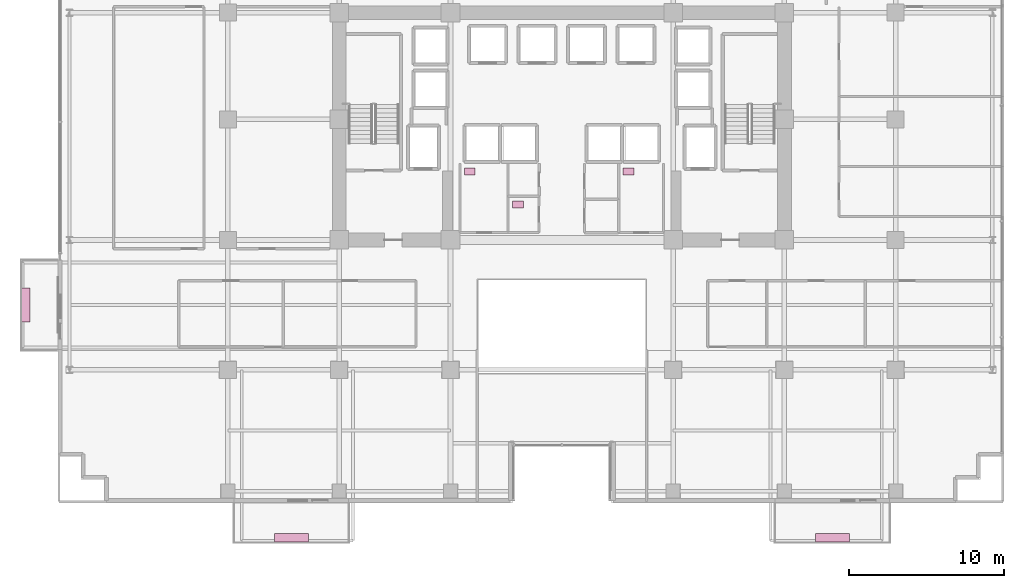
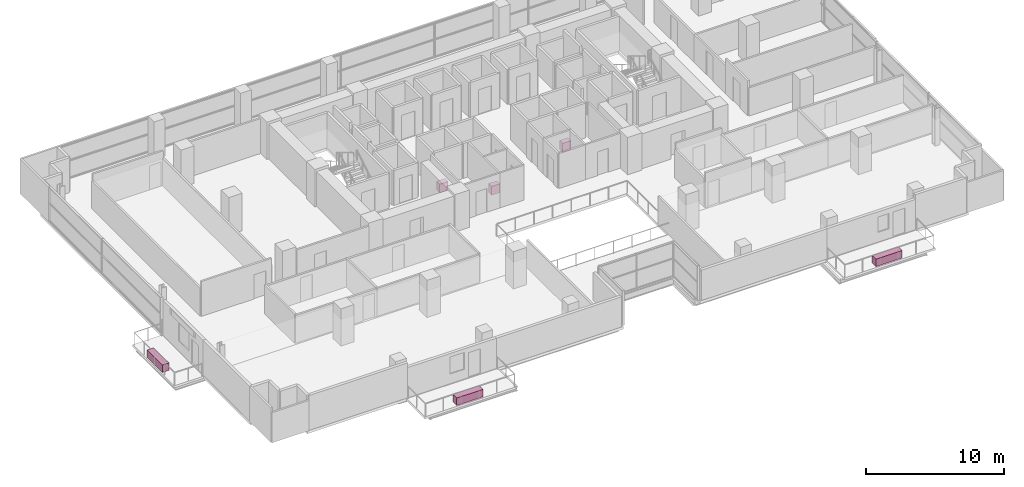
# One storey, part 31 of 31: 6 furnishings.
"""IFC4 building model written with IfcOpenShell, lengths in metres."""

from ifc_helpers import new_model, si_unit, direction, frame, origin, origin_2d, place, context, subcontext, project, spatial, rectangle, extrude, source, transform, mapped, material, type_object, element, save


model = new_model("IFC4")

# Units and contexts
model_context = context("Model", 3, precision=1e-05, world=origin(), true_north=direction((0.0, 1.0)))
body_context = subcontext(model_context, "Body", "Model", "MODEL_VIEW")
ifc_project = project(units=[si_unit("LENGTHUNIT", "METRE"), si_unit("AREAUNIT", "SQUARE_METRE"), si_unit("VOLUMEUNIT", "CUBIC_METRE"), si_unit("PLANEANGLEUNIT", "RADIAN"), si_unit("MASSUNIT", "GRAM", prefix="KILO")], contexts=[model_context])

# Site, building, storey
site_placement = place(None, origin())
site = spatial("IfcSite", under=ifc_project, at=site_placement, CompositionType="ELEMENT")
building_placement = place(site_placement, origin())
building = spatial("IfcBuilding", under=site, at=building_placement, Name="Zarnakvel Exchange Tower", CompositionType="ELEMENT")
storey_placement = place(building_placement, frame((0.0, 0.0, 47.199951171875)))
storey = spatial("IfcBuildingStorey", under=building, at=storey_placement, Name="L12", CompositionType="ELEMENT", Elevation=47.199951171875)

# Furnishings
ifc_material_1 = material(Name="Architectural Bronze Anodised Aluminium", Category="aluminium")
furnishing_element_type_1 = type_object("IfcFurnishingElementType", Name="PLNT-01", material=ifc_material_1)
shared_shape_1 = source(origin(), body_context, "Body", "SweptSolid", [
    extrude(rectangle(XDim=2.199951171875, YDim=0.550048828125, at=origin_2d()), origin(), (0.0, 0.0, 1.0), 0.64990234375),
])
for number, where, z_axis, x_axis, name in (
    (1, (-17.5, -20.469970703125, -0.034912109375), (0.0, 0.0, 1.0), (1.0, 0.0, 0.0), "L12 Balcony Greenery Planter BAL-L12-SW"),
    (2, (17.5, -20.469970703125, -0.034912109375), (0.0, 0.0, 1.0), (1.0, 0.0, 0.0), "L12 Balcony Greenery Planter BAL-L12-SE"),
    (3, (-34.669921875, -5.39990234375, -0.034912109375), (0.0, 0.0, 1.0), (0.0, 1.0, 0.0), "L12 Balcony Greenery Planter BAL-L12-W"),
):
    element("IfcFurnishingElement", number, at=place(storey_placement, frame(where, z_axis=z_axis, x_axis=x_axis)), inside=storey, type_object=furnishing_element_type_1, Name=name, ObjectType="PLANTER", context=body_context, shape_type="MappedRepresentation", body=[
        mapped(shared_shape_1, transform((0.0, 0.0, 0.0), x_axis=(1.0, 0.0, 0.0), y_axis=(0.0, 1.0, 0.0), z_axis=(0.0, 0.0, 1.0), scale=1.0)),
    ])
ifc_material_2 = material(Name="Vitreous China Sanitaryware", Category="ceramic")
furnishing_element_type_2 = type_object("IfcFurnishingElementType", Name="SAN-WC", material=ifc_material_2)
shared_shape_2 = source(origin(), body_context, "Body", "SweptSolid", [
    extrude(rectangle(XDim=0.699951171875, YDim=0.449951171875, at=origin_2d()), origin(), (0.0, 0.0, 1.0), 0.780029296875),
])
for number, where, z_axis, x_axis, name in (
    (4, (-5.949951171875, 3.22998046875, 0.0), (0.0, 0.0, 1.0), (1.0, 0.0, 0.0), "L12 Sanitary Fixture (Male Toilet)"),
    (5, (-2.840087890625, 1.10009765625, 0.0), (0.0, 0.0, 1.0), (1.0, 0.0, 0.0), "L12 Sanitary Fixture (Accessible Toilet)"),
    (6, (4.31005859375, 3.22998046875, 0.0), (0.0, 0.0, 1.0), (1.0, 0.0, 0.0), "L12 Sanitary Fixture (Female Toilet)"),
):
    element("IfcFurnishingElement", number, at=place(storey_placement, frame(where, z_axis=z_axis, x_axis=x_axis)), inside=storey, type_object=furnishing_element_type_2, Name=name, ObjectType="SANITARY_FIXTURE", context=body_context, shape_type="MappedRepresentation", body=[
        mapped(shared_shape_2, transform((0.0, 0.0, 0.0), x_axis=(1.0, 0.0, 0.0), y_axis=(0.0, 1.0, 0.0), z_axis=(0.0, 0.0, 1.0), scale=1.0)),
    ])

save(model, "model.ifc")
